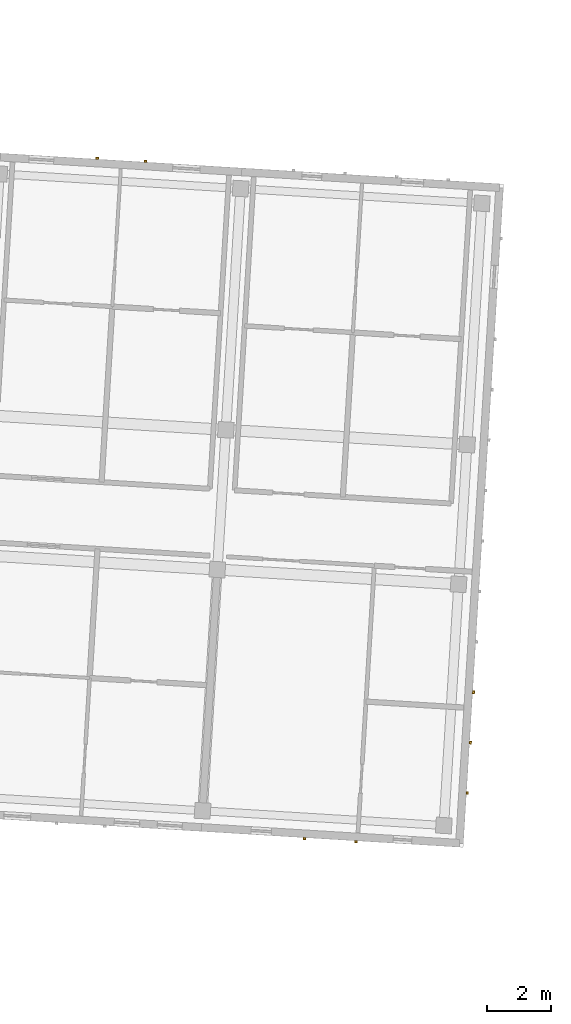
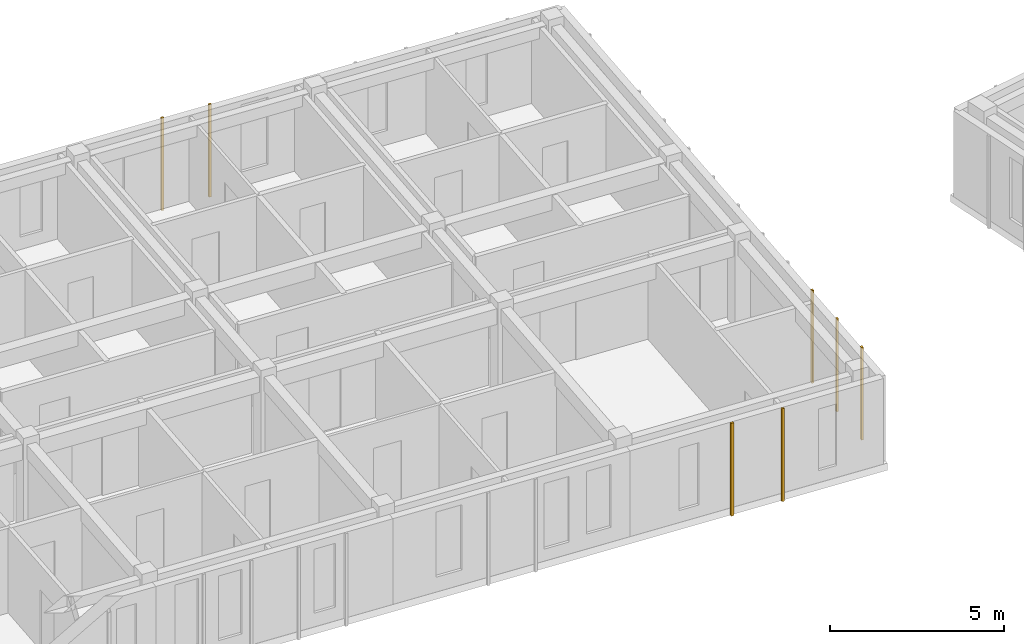
# One storey, part 51 of 66: 7 coverings.
"""IFC4 building model written with IfcOpenShell, lengths in metres."""

from ifc_helpers import new_model, si_unit, direction, frame, origin, origin_2d, place, context, subcontext, project, spatial, rectangle, extrude, material, layer, layer_set, type_object, element, save


model = new_model("IFC4")

# Units and contexts
model_context = context("Model", 3, precision=1e-05, world=origin(), true_north=direction((0.0, 1.0)))
body_context = subcontext(model_context, "Body", "Model", "MODEL_VIEW")
ifc_project = project(units=[si_unit("LENGTHUNIT", "METRE"), si_unit("AREAUNIT", "SQUARE_METRE"), si_unit("VOLUMEUNIT", "CUBIC_METRE"), si_unit("PLANEANGLEUNIT", "RADIAN"), si_unit("MASSUNIT", "GRAM", prefix="KILO")], contexts=[model_context])

# Site, building, storey
site_placement = place(None, origin())
site = spatial("IfcSite", under=ifc_project, at=site_placement, CompositionType="ELEMENT")
building_placement = place(site_placement, origin())
building = spatial("IfcBuilding", under=site, at=building_placement, Name="Kestramere Prow Commons", CompositionType="ELEMENT")
storey_placement = place(building_placement, frame((0.0, 0.0, 14.89990234375)))
storey = spatial("IfcBuildingStorey", under=building, at=storey_placement, Name="L04", CompositionType="ELEMENT", Elevation=14.89990234375)

# Coverings
ifc_material = material(Name="Weathered Zinc-Titanium Standing-Seam Cladding")
ifc_layer = layer(ifc_material, 0.074951171875)
ifc_layer_set = layer_set([ifc_layer], Name="Weathered Zinc-Titanium Standing-Seam Cladding")
covering_type = type_object("IfcCoveringType", Name="COV-CLAD-SEAM", PredefinedType="CLADDING", material=ifc_layer_set)
for number, where, z_axis, x_axis, name in (
    (1, (102.253662109375, 43.206298828125, -0.25), (0.0, 0.0, 1.0), (-0.998134798422, 0.061048539535, 0.0), "EW-C-L04-S-5 Standing-Seam Rib 2"),
    (2, (100.631591796875, 43.305419921875, -0.25), (0.0, 0.0, 1.0), (-0.998134798422, 0.061048539535, 0.0), "EW-C-L04-S-5 Standing-Seam Rib 3"),
    (3, (94.115478515625, 64.6982421875, -0.25), (0.0, 0.0, 1.0), (0.998134798422, -0.061048539535, 0.0), "EW-C-L04-N-4 Standing-Seam Rib 2"),
    (4, (95.6328125, 64.60546875, -0.25), (0.0, 0.0, 1.0), (0.998134798422, -0.061048539535, 0.0), "EW-C-L04-N-4 Standing-Seam Rib 3"),
    (5, (105.949951171875, 47.9072265625, -0.25), (0.0, 0.0, 1.0), (-0.061048539535, -0.998134798422, 0.0), "EW-C-L04-EAV Standing-Seam Rib 10"),
    (6, (105.85302734375, 46.32177734375, -0.25), (0.0, 0.0, 1.0), (-0.061048539535, -0.998134798422, 0.0), "EW-C-L04-EAV Standing-Seam Rib 11"),
    (7, (105.756103515625, 44.736328125, -0.25), (0.0, 0.0, 1.0), (-0.061048539535, -0.998134798422, 0.0), "EW-C-L04-EAV Standing-Seam Rib 12"),
):
    element("IfcCovering", number, at=place(storey_placement, frame(where, z_axis=z_axis, x_axis=x_axis)), inside=storey, type_object=covering_type, Name=name, PredefinedType="CLADDING", context=body_context, shape_type="SweptSolid", body=[
        extrude(rectangle(XDim=0.0849609375, YDim=0.06494140625, at=origin_2d()), origin(), (0.0, 0.0, 1.0), 3.25),
    ])

save(model, "model.ifc")
